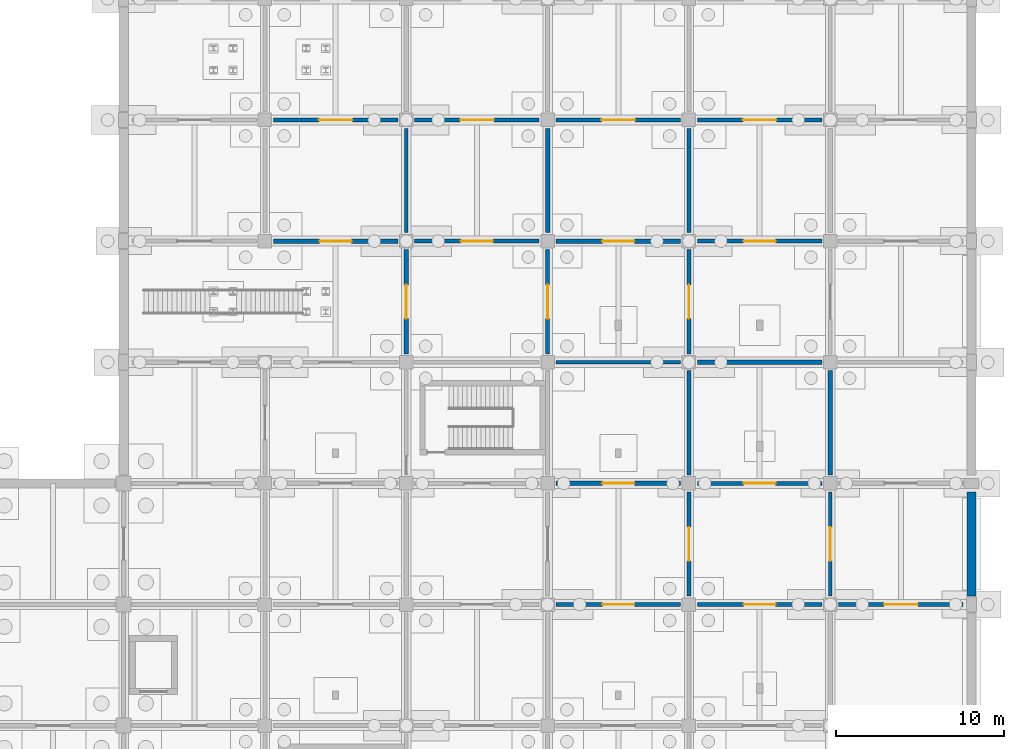
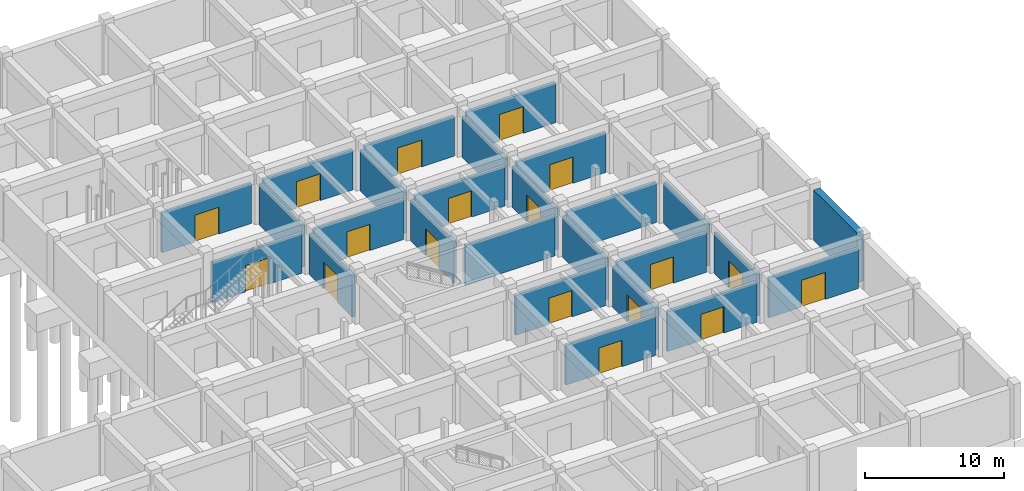
# One storey, part 34 of 38: 26 walls, 18 doors, 18 openings.
"""IFC4 building model written with IfcOpenShell, lengths in metres."""

import ifcopenshell
import ifcopenshell.guid

model = None  # the IFC model being written
_history = None  # IfcOwnerHistory: only IFC2X3 demands one
_inside = {}  # id of a spatial element -> (the spatial element, [elements in it])
_under = {}  # id of a project, library or spatial element -> (it, [spatial elements below it])
_declared = {}  # id of a project -> (the project, [libraries it declares])
_typed = {}  # id of a type object -> (the type object, [elements of that type])
_made_of = {}  # id of a material, layer set ... -> (it, [elements and type objects made of it])


def new_model(schema):
    """Start an empty IFC model of exactly this schema.

    Asked for "IFC4X3", IfcOpenShell would pick the latest addendum, in which some entities
    have other attributes; the version numbers below select the first issue.
    IFC2X3 requires an IfcOwnerHistory on every rooted entity: one is made here for all.
    """
    global model, _history
    if schema == "IFC4X3":
        model = ifcopenshell.file(schema_version=(4, 3, 0, 0))
    else:
        model = ifcopenshell.file(schema=schema)
    _inside.clear()
    _under.clear()
    _declared.clear()
    _typed.clear()
    _made_of.clear()
    _history = None
    if model.schema == "IFC2X3":
        org = make("IfcOrganization", Name="unknown")
        user = make(
            "IfcPersonAndOrganization",
            ThePerson=make("IfcPerson", FamilyName="unknown"),
            TheOrganization=org,
        )
        app = make(
            "IfcApplication",
            ApplicationDeveloper=org,
            Version="unknown",
            ApplicationFullName="unknown",
            ApplicationIdentifier="unknown",
        )
        _history = make(
            "IfcOwnerHistory",
            OwningUser=user,
            OwningApplication=app,
            ChangeAction="ADDED",
            CreationDate=0,
        )
    return model


def make(cls, **values):
    """One entity of the class cls with the attributes given. An attribute that is None is left unset."""
    return model.create_entity(
        cls, **{name: value for name, value in values.items() if value is not None}
    )


def rooted(cls, **values):
    """An entity with a GlobalId (a new one), such as an element, a storey or a relation."""
    return make(cls, GlobalId=ifcopenshell.guid.new(), OwnerHistory=_history, **values)


def si_unit(unit_type, name, prefix=None):
    """IfcSIUnit, for example si_unit("LENGTHUNIT", "METRE", prefix="MILLI")."""
    return make("IfcSIUnit", UnitType=unit_type, Prefix=prefix, Name=name)


def derived_unit(unit_type, elements):
    """IfcDerivedUnit: a product of units, each with its exponent."""
    return make(
        "IfcDerivedUnit",
        Elements=[
            make("IfcDerivedUnitElement", Unit=unit, Exponent=power)
            for unit, power in elements
        ],
        UnitType=unit_type,
    )


def assignment(units):
    """IfcUnitAssignment: the units of a project."""
    return None if units is None else make("IfcUnitAssignment", Units=units)


def point(xyz):
    """IfcCartesianPoint."""
    return None if xyz is None else make("IfcCartesianPoint", Coordinates=xyz)


def direction(xyz):
    """IfcDirection."""
    return None if xyz is None else make("IfcDirection", DirectionRatios=xyz)


def frame(location, z_axis=None, x_axis=None):
    """IfcAxis2Placement3D, a coordinate frame: its origin and axes. An axis left out is left unset."""
    return make(
        "IfcAxis2Placement3D",
        Location=point(location),
        Axis=direction(z_axis),
        RefDirection=direction(x_axis),
    )


def frame_2d(location, x_axis=None):
    """IfcAxis2Placement2D, a coordinate frame in the plane: its origin and x axis."""
    return make(
        "IfcAxis2Placement2D", Location=point(location), RefDirection=direction(x_axis)
    )


def origin():
    """The frame at (0, 0, 0) with its axes left unset."""
    return frame((0.0, 0.0, 0.0))


def place(relative_to, where):
    """IfcLocalPlacement: puts the frame where relative to a parent placement (None: the world)."""
    return make(
        "IfcLocalPlacement", PlacementRelTo=relative_to, RelativePlacement=where
    )


def context(
    kind, dimensions, precision=None, world=None, true_north=None, identifier=None
):
    """IfcGeometricRepresentationContext, for example the 3D "Model" context."""
    return make(
        "IfcGeometricRepresentationContext",
        ContextIdentifier=identifier,
        ContextType=kind,
        CoordinateSpaceDimension=dimensions,
        Precision=precision,
        WorldCoordinateSystem=world,
        TrueNorth=true_north,
    )


def subcontext(parent, identifier, kind, view, scale=None):
    """IfcGeometricRepresentationSubContext, for example "Body" below "Model"."""
    return make(
        "IfcGeometricRepresentationSubContext",
        ContextIdentifier=identifier,
        ContextType=kind,
        ParentContext=parent,
        TargetScale=scale,
        TargetView=view,
    )


def project(units=None, contexts=None):
    """IfcProject with its units and contexts."""
    return rooted(
        "IfcProject",
        Name="project",
        RepresentationContexts=contexts,
        UnitsInContext=assignment(units),
    )


def spatial(cls, under=None, at=None, **own):
    """A site, building, storey or space (cls), placed at a placement, below another one or the project."""
    s = rooted(cls, ObjectPlacement=at, **own)
    if under is not None:
        _under.setdefault(under.id(), (under, []))[1].append(s)
    return s


def profile(cls, at=None, kind="AREA", **sizes):
    """A parametric profile (cls). Its sizes go by their IFC names, for example OverallWidth=200.0."""
    return make(cls, ProfileType=kind, Position=at, **sizes)


def rectangle(**sizes):
    """IfcRectangleProfileDef."""
    return profile("IfcRectangleProfileDef", **sizes)


def extrude(swept, where, along, depth):
    """IfcExtrudedAreaSolid: the profile swept, set in the frame where, extruded along a direction by depth."""
    return make(
        "IfcExtrudedAreaSolid",
        SweptArea=swept,
        Position=where,
        ExtrudedDirection=direction(along),
        Depth=depth,
    )


def shape(context_of_items, identifier, shape_type, items):
    """IfcShapeRepresentation: the items that make up one representation, for example the "Body"."""
    return make(
        "IfcShapeRepresentation",
        ContextOfItems=context_of_items,
        RepresentationIdentifier=identifier,
        RepresentationType=shape_type,
        Items=items,
    )


def material(Name=None, Category=None):
    """IfcMaterial."""
    return make("IfcMaterial", Name=Name, Category=Category)


def layer(
    of_material, thickness, ventilated=None, Name=None, Category=None, Priority=None
):
    """IfcMaterialLayer: one layer of a wall or slab, of a material (None: an air gap)."""
    return make(
        "IfcMaterialLayer",
        Material=of_material,
        LayerThickness=thickness,
        IsVentilated=ventilated,
        Name=Name,
        Category=Category,
        Priority=Priority,
    )


def layer_set(layers, Name=None):
    """IfcMaterialLayerSet."""
    return make("IfcMaterialLayerSet", MaterialLayers=layers, LayerSetName=Name)


def made_of(thing, what):
    """Note that an element or type object is made of a material, layer set ...; save() writes the relation."""
    if what is not None:
        _made_of.setdefault(what.id(), (what, []))[1].append(thing)
    return thing


def type_object(cls, material=None, **own):
    """A type object (cls), such as IfcWallType, which elements share."""
    return made_of(rooted(cls, **own), material)


def element(
    cls,
    number,
    at=None,
    inside=None,
    cuts=None,
    type_object=None,
    material=None,
    context=None,
    identifier="Body",
    shape_type=None,
    held_by="IfcProductDefinitionShape",
    body=None,
    shapes=None,
    **own,
):
    """One element of the class cls, such as IfcWall. Its Tag is "e" and its number.

    at: its placement. inside: the storey or other place that contains it. cuts: it is an
    opening in that element (IfcRelVoidsElement). A single representation is given by context,
    identifier, shape_type and body (its items); several are given by shapes. held_by: the class
    of the entity that holds the representations. save() writes the other relations.
    """
    e = rooted(cls, Tag="e%d" % number, ObjectPlacement=at, **own)
    if body is not None:
        shapes = [shape(context, identifier, shape_type, body)]
    if shapes is not None:
        e.Representation = make(held_by, Representations=shapes)
    if inside is not None:
        _inside.setdefault(inside.id(), (inside, []))[1].append(e)
    if cuts is not None:
        rooted(
            "IfcRelVoidsElement", RelatingBuildingElement=cuts, RelatedOpeningElement=e
        )
    if type_object is not None:
        _typed.setdefault(type_object.id(), (type_object, []))[1].append(e)
    return made_of(e, material)


def fill(opening, filler):
    """IfcRelFillsElement: the door or window that sits in an opening."""
    return rooted(
        "IfcRelFillsElement",
        RelatingOpeningElement=opening,
        RelatedBuildingElement=filler,
    )


def aggregate(whole, parts):
    """IfcRelAggregates: a whole, such as a stair, and the parts it consists of."""
    return rooted("IfcRelAggregates", RelatingObject=whole, RelatedObjects=parts)


def save(model, path):
    """Write the relations noted so far, then the file.

    IfcRelAggregates (storeys below a building ...), IfcRelContainedInSpatialStructure (elements
    in a storey), IfcRelDefinesByType, IfcRelAssociatesMaterial and IfcRelDeclares: one each for
    every whole, place, type object, material and project.
    """
    for whole, parts in _under.values():
        aggregate(whole, parts)
    for where, things in _inside.values():
        rooted(
            "IfcRelContainedInSpatialStructure",
            RelatedElements=things,
            RelatingStructure=where,
        )
    for kind, things in _typed.values():
        rooted("IfcRelDefinesByType", RelatedObjects=things, RelatingType=kind)
    for what, things in _made_of.values():
        rooted("IfcRelAssociatesMaterial", RelatedObjects=things, RelatingMaterial=what)
    for by, libraries in _declared.values():
        rooted("IfcRelDeclares", RelatingContext=by, RelatedDefinitions=libraries)
    model.write(path)


model = new_model("IFC4")

# Units and contexts
model_context = context("Model", 3, precision=1e-05, world=origin(), true_north=direction((0.0, 1.0)))
body_context = subcontext(model_context, "Body", "Model", "MODEL_VIEW")
ifc_project = project(units=[si_unit("LENGTHUNIT", "METRE"), si_unit("AREAUNIT", "SQUARE_METRE"), si_unit("VOLUMEUNIT", "CUBIC_METRE"), si_unit("PLANEANGLEUNIT", "RADIAN"), si_unit("MASSUNIT", "GRAM", prefix="KILO"), derived_unit("THERMALTRANSMITTANCEUNIT", [(si_unit("MASSUNIT", "GRAM", prefix="KILO"), 1), (si_unit("TIMEUNIT", "SECOND"), -3), (si_unit("THERMODYNAMICTEMPERATUREUNIT", "KELVIN"), -1)])], contexts=[model_context])

# Site, building, storey
site_placement = place(None, origin())
site = spatial("IfcSite", under=ifc_project, at=site_placement, CompositionType="ELEMENT")
building_placement = place(site_placement, origin())
building = spatial("IfcBuilding", under=site, at=building_placement, Name="Veldstrom Oceanarium and Marine Research Institute", CompositionType="ELEMENT")
storey_placement = place(building_placement, frame((0.0, 0.0, -9.60009765625)))
storey = spatial("IfcBuildingStorey", under=building, at=storey_placement, Name="B02", CompositionType="ELEMENT", Elevation=-9.60009765625)

# Wall
ifc_material_1 = material(Name="Masonry Fire Compartment Wall", Category="masonry")
ifc_layer_1 = layer(ifc_material_1, 0.22998046875)
ifc_layer_set_1 = layer_set([ifc_layer_1], Name="ARC-WAL-PT1")
wall_type_1 = type_object("IfcWallType", Name="ARC-WAL-PT1", PredefinedType="PARTITIONING", material=ifc_layer_set_1)
wall_1_placement = place(storey_placement, frame((134.39990234375, 86.89990234375, 0.0), z_axis=(0.0, 0.0, 1.0), x_axis=(0.0, 1.0, 0.0)))
element("IfcWall", 1, at=wall_1_placement, inside=storey, type_object=wall_type_1, Name="Interior Partition PT1 B02-0219", PredefinedType="PARTITIONING", context=body_context, shape_type="SweptSolid", body=[
    extrude(rectangle(XDim=6.2001953125, YDim=0.22998046875, at=frame_2d((3.10009765625, 0.0))), origin(), (0.0, 0.0, 1.0), 3.59521484375),
])

# Wall, opening, door
wall_2_placement = place(storey_placement, frame((126.5, 93.60009765625, 0.0), z_axis=(0.0, 0.0, 1.0), x_axis=(1.0, 0.0, 0.0)))
wall_2 = element("IfcWall", 2, at=wall_2_placement, inside=storey, type_object=wall_type_1, Name="Interior Partition PT1 B02-0220", PredefinedType="PARTITIONING", context=body_context, shape_type="SweptSolid", body=[
    extrude(rectangle(XDim=7.39990234375, YDim=0.22998046875, at=frame_2d((3.699951171875, 0.0))), origin(), (0.0, 0.0, 1.0), 3.4951171875),
])
opening_1_placement = place(wall_2_placement, frame((2.699951171875, 0.0, 0.0)))
opening_1 = element("IfcOpeningElement", 3, at=opening_1_placement, cuts=wall_2, Name="Opening D-B02-129", PredefinedType="OPENING", context=body_context, shape_type="SweptSolid", body=[
    extrude(rectangle(XDim=2.0, YDim=2.35009765625, at=frame_2d((1.0, 1.175048828125))), frame((0.0, 0.125, 0.0), z_axis=(0.0, -1.0, 0.0), x_axis=(1.0, 0.0, 0.0)), (0.0, 0.0, 1.0), 0.25),
])
ifc_material_2 = material(Name="Filtration Hall Double Door", Category="steel")
door_type_1 = type_object("IfcDoorType", Name="ARC-DOR-ID18", OperationType="DOUBLE_DOOR_SINGLE_SWING", PredefinedType="DOOR", material=ifc_material_2)
door_1_placement = place(opening_1_placement, frame((2.0, 0.0, 0.0), z_axis=(0.0, 0.0, 1.0), x_axis=(-1.0, 0.0, 0.0)))
door_1 = element("IfcDoor", 4, at=door_1_placement, inside=storey, type_object=door_type_1, Name="Interior Door D-B02-129", OperationType="DOUBLE_DOOR_SINGLE_SWING", OverallHeight=2.35009765625, OverallWidth=2.0, PredefinedType="DOOR", context=body_context, shape_type="SweptSolid", body=[
    extrude(rectangle(XDim=2.0, YDim=2.35009765625, at=frame_2d((1.0, 1.175048828125))), frame((0.0, 0.02490234375, 0.0), z_axis=(0.0, -1.0, 0.0), x_axis=(1.0, 0.0, 0.0)), (0.0, 0.0, 1.0), 0.050048828125),
])
fill(opening_1, door_1)

wall_3_placement = place(storey_placement, frame((142.800048828125, 79.699951171875, 0.0), z_axis=(0.0, 0.0, 1.0), x_axis=(0.0, 1.0, 0.0)))
wall_3 = element("IfcWall", 5, at=wall_3_placement, inside=storey, type_object=wall_type_1, Name="Interior Partition PT1 B02-0236", PredefinedType="PARTITIONING", context=body_context, shape_type="SweptSolid", body=[
    extrude(rectangle(XDim=6.199951171875, YDim=0.22998046875, at=frame_2d((3.10009765625, 0.0))), origin(), (0.0, 0.0, 1.0), 3.59521484375),
])
opening_2_placement = place(wall_3_placement, frame((2.10009765625, 0.0, 0.0)))
opening_2 = element("IfcOpeningElement", 6, at=opening_2_placement, cuts=wall_3, Name="Opening D-B02-137", PredefinedType="OPENING", context=body_context, shape_type="SweptSolid", body=[
    extrude(rectangle(XDim=2.0, YDim=2.35009765625, at=frame_2d((1.0, 1.175048828125))), frame((0.0, 0.125, 0.0), z_axis=(0.0, -1.0, 0.0), x_axis=(1.0, 0.0, 0.0)), (0.0, 0.0, 1.0), 0.25),
])
door_2_placement = place(opening_2_placement, origin())
door_2 = element("IfcDoor", 7, at=door_2_placement, inside=storey, type_object=door_type_1, Name="Interior Door D-B02-137", OperationType="DOUBLE_DOOR_SINGLE_SWING", OverallHeight=2.35009765625, OverallWidth=2.0, PredefinedType="DOOR", context=body_context, shape_type="SweptSolid", body=[
    extrude(rectangle(XDim=2.0, YDim=2.35009765625, at=frame_2d((1.0, 1.175048828125))), frame((0.0, 0.02490234375, 0.0), z_axis=(0.0, -1.0, 0.0), x_axis=(1.0, 0.0, 0.0)), (0.0, 0.0, 1.0), 0.050048828125),
])
fill(opening_2, door_2)

wall_4_placement = place(storey_placement, frame((134.89990234375, 86.39990234375, 0.0), z_axis=(0.0, 0.0, 1.0), x_axis=(1.0, 0.0, 0.0)))
wall_4 = element("IfcWall", 8, at=wall_4_placement, inside=storey, type_object=wall_type_1, Name="Interior Partition PT1 B02-0237", PredefinedType="PARTITIONING", context=body_context, shape_type="SweptSolid", body=[
    extrude(rectangle(XDim=7.400146484375, YDim=0.22998046875, at=frame_2d((3.7001953125, 0.0))), origin(), (0.0, 0.0, 1.0), 3.4951171875),
])
opening_3_placement = place(wall_4_placement, frame((2.75, 0.0, 0.0)))
opening_3 = element("IfcOpeningElement", 9, at=opening_3_placement, cuts=wall_4, Name="Opening D-B02-138", PredefinedType="OPENING", context=body_context, shape_type="SweptSolid", body=[
    extrude(rectangle(XDim=1.89990234375, YDim=2.300048828125, at=frame_2d((0.949951171875, 1.14990234375))), frame((0.0, 0.125, 0.0), z_axis=(0.0, -1.0, 0.0), x_axis=(1.0, 0.0, 0.0)), (0.0, 0.0, 1.0), 0.25),
])
ifc_material_3 = material(Name="Plant Hall Equipment Door", Category="steel")
door_type_2 = type_object("IfcDoorType", Name="ARC-DOR-ID12", OperationType="DOUBLE_DOOR_SINGLE_SWING", PredefinedType="DOOR", material=ifc_material_3)
door_3_placement = place(opening_3_placement, frame((1.89990234375, 0.0, 0.0), z_axis=(0.0, 0.0, 1.0), x_axis=(-1.0, 0.0, 0.0)))
door_3 = element("IfcDoor", 10, at=door_3_placement, inside=storey, type_object=door_type_2, Name="Interior Door D-B02-138", OperationType="DOUBLE_DOOR_SINGLE_SWING", OverallHeight=2.300048828125, OverallWidth=1.89990234375, PredefinedType="DOOR", context=body_context, shape_type="SweptSolid", body=[
    extrude(rectangle(XDim=1.89990234375, YDim=2.300048828125, at=frame_2d((0.949951171875, 1.14990234375))), frame((0.0, 0.02490234375, 0.0), z_axis=(0.0, -1.0, 0.0), x_axis=(1.0, 0.0, 0.0)), (0.0, 0.0, 1.0), 0.050048828125),
])
fill(opening_3, door_3)

wall_5_placement = place(storey_placement, frame((143.300048828125, 64.800048828125, 0.0), z_axis=(0.0, 0.0, 1.0), x_axis=(1.0, 0.0, 0.0)))
wall_5 = element("IfcWall", 11, at=wall_5_placement, inside=storey, type_object=wall_type_1, Name="Interior Partition PT1 B02-0250", PredefinedType="PARTITIONING", context=body_context, shape_type="SweptSolid", body=[
    extrude(rectangle(XDim=7.39990234375, YDim=0.22998046875, at=frame_2d((3.699951171875, 0.0))), origin(), (0.0, 0.0, 1.0), 3.4951171875),
])
opening_4_placement = place(wall_5_placement, frame((2.75, 0.0, 0.0)))
opening_4 = element("IfcOpeningElement", 12, at=opening_4_placement, cuts=wall_5, Name="Opening D-B02-144", PredefinedType="OPENING", context=body_context, shape_type="SweptSolid", body=[
    extrude(rectangle(XDim=1.89990234375, YDim=2.300048828125, at=frame_2d((0.949951171875, 1.14990234375))), frame((0.0, 0.125, 0.0), z_axis=(0.0, -1.0, 0.0), x_axis=(1.0, 0.0, 0.0)), (0.0, 0.0, 1.0), 0.25),
])
door_4_placement = place(opening_4_placement, frame((1.89990234375, 0.0, 0.0), z_axis=(0.0, 0.0, 1.0), x_axis=(-1.0, 0.0, 0.0)))
door_4 = element("IfcDoor", 13, at=door_4_placement, inside=storey, type_object=door_type_2, Name="Interior Door D-B02-144", OperationType="DOUBLE_DOOR_SINGLE_SWING", OverallHeight=2.300048828125, OverallWidth=1.89990234375, PredefinedType="DOOR", context=body_context, shape_type="SweptSolid", body=[
    extrude(rectangle(XDim=1.89990234375, YDim=2.300048828125, at=frame_2d((0.949951171875, 1.14990234375))), frame((0.0, 0.02490234375, 0.0), z_axis=(0.0, -1.0, 0.0), x_axis=(1.0, 0.0, 0.0)), (0.0, 0.0, 1.0), 0.050048828125),
])
fill(opening_4, door_4)

# Walls
wall_6_placement = place(storey_placement, frame((151.199951171875, 72.5, 0.0), z_axis=(0.0, 0.0, 1.0), x_axis=(0.0, 1.0, 0.0)))
element("IfcWall", 14, at=wall_6_placement, inside=storey, type_object=wall_type_1, Name="Interior Partition PT1 B02-0253", PredefinedType="PARTITIONING", context=body_context, shape_type="SweptSolid", body=[
    extrude(rectangle(XDim=6.199951171875, YDim=0.22998046875, at=frame_2d((3.10009765625, 0.0))), origin(), (0.0, 0.0, 1.0), 3.59521484375),
])
wall_7_placement = place(storey_placement, frame((143.300048828125, 79.199951171875, 0.0), z_axis=(0.0, 0.0, 1.0), x_axis=(1.0, 0.0, 0.0)))
element("IfcWall", 15, at=wall_7_placement, inside=storey, type_object=wall_type_1, Name="Interior Partition PT1 B02-0254", PredefinedType="PARTITIONING", context=body_context, shape_type="SweptSolid", body=[
    extrude(rectangle(XDim=7.39990234375, YDim=0.22998046875, at=frame_2d((3.699951171875, 0.0))), origin(), (0.0, 0.0, 1.0), 3.4951171875),
])
wall_8_placement = place(storey_placement, frame((151.199951171875, 86.89990234375, 0.0), z_axis=(0.0, 0.0, 1.0), x_axis=(0.0, 1.0, 0.0)))
element("IfcWall", 16, at=wall_8_placement, inside=storey, type_object=wall_type_1, Name="Interior Partition PT1 B02-0257", PredefinedType="PARTITIONING", context=body_context, shape_type="SweptSolid", body=[
    extrude(rectangle(XDim=6.2001953125, YDim=0.22998046875, at=frame_2d((3.10009765625, 0.0))), origin(), (0.0, 0.0, 1.0), 3.59521484375),
])

# Wall, opening, door
wall_9_placement = place(storey_placement, frame((143.300048828125, 93.60009765625, 0.0), z_axis=(0.0, 0.0, 1.0), x_axis=(1.0, 0.0, 0.0)))
wall_9 = element("IfcWall", 17, at=wall_9_placement, inside=storey, type_object=wall_type_1, Name="Interior Partition PT1 B02-0258", PredefinedType="PARTITIONING", context=body_context, shape_type="SweptSolid", body=[
    extrude(rectangle(XDim=7.39990234375, YDim=0.22998046875, at=frame_2d((3.699951171875, 0.0))), origin(), (0.0, 0.0, 1.0), 3.4951171875),
])
opening_5_placement = place(wall_9_placement, frame((2.699951171875, 0.0, 0.0)))
opening_5 = element("IfcOpeningElement", 18, at=opening_5_placement, cuts=wall_9, Name="Opening D-B02-149", PredefinedType="OPENING", context=body_context, shape_type="SweptSolid", body=[
    extrude(rectangle(XDim=2.0, YDim=2.35009765625, at=frame_2d((1.0, 1.175048828125))), frame((0.0, 0.125, 0.0), z_axis=(0.0, -1.0, 0.0), x_axis=(1.0, 0.0, 0.0)), (0.0, 0.0, 1.0), 0.25),
])
door_5_placement = place(opening_5_placement, frame((2.0, 0.0, 0.0), z_axis=(0.0, 0.0, 1.0), x_axis=(-1.0, 0.0, 0.0)))
door_5 = element("IfcDoor", 19, at=door_5_placement, inside=storey, type_object=door_type_1, Name="Interior Door D-B02-149", OperationType="DOUBLE_DOOR_SINGLE_SWING", OverallHeight=2.35009765625, OverallWidth=2.0, PredefinedType="DOOR", context=body_context, shape_type="SweptSolid", body=[
    extrude(rectangle(XDim=2.0, YDim=2.35009765625, at=frame_2d((1.0, 1.175048828125))), frame((0.0, 0.02490234375, 0.0), z_axis=(0.0, -1.0, 0.0), x_axis=(1.0, 0.0, 0.0)), (0.0, 0.0, 1.0), 0.050048828125),
])
fill(opening_5, door_5)

wall_10_placement = place(storey_placement, frame((159.60009765625, 65.300048828125, 0.0), z_axis=(0.0, 0.0, 1.0), x_axis=(0.0, 1.0, 0.0)))
wall_10 = element("IfcWall", 20, at=wall_10_placement, inside=storey, type_object=wall_type_1, Name="Interior Partition PT1 B02-0270", PredefinedType="PARTITIONING", context=body_context, shape_type="SweptSolid", body=[
    extrude(rectangle(XDim=6.199951171875, YDim=0.22998046875, at=frame_2d((3.10009765625, 0.0))), origin(), (0.0, 0.0, 1.0), 3.59521484375),
])
opening_6_placement = place(wall_10_placement, frame((2.10009765625, 0.0, 0.0)))
opening_6 = element("IfcOpeningElement", 21, at=opening_6_placement, cuts=wall_10, Name="Opening D-B02-155", PredefinedType="OPENING", context=body_context, shape_type="SweptSolid", body=[
    extrude(rectangle(XDim=2.0, YDim=2.35009765625, at=frame_2d((1.0, 1.175048828125))), frame((0.0, 0.125, 0.0), z_axis=(0.0, -1.0, 0.0), x_axis=(1.0, 0.0, 0.0)), (0.0, 0.0, 1.0), 0.25),
])
door_6_placement = place(opening_6_placement, origin())
door_6 = element("IfcDoor", 22, at=door_6_placement, inside=storey, type_object=door_type_1, Name="Interior Door D-B02-155", OperationType="DOUBLE_DOOR_SINGLE_SWING", OverallHeight=2.35009765625, OverallWidth=2.0, PredefinedType="DOOR", context=body_context, shape_type="SweptSolid", body=[
    extrude(rectangle(XDim=2.0, YDim=2.35009765625, at=frame_2d((1.0, 1.175048828125))), frame((0.0, 0.02490234375, 0.0), z_axis=(0.0, -1.0, 0.0), x_axis=(1.0, 0.0, 0.0)), (0.0, 0.0, 1.0), 0.050048828125),
])
fill(opening_6, door_6)

wall_11_placement = place(storey_placement, frame((151.699951171875, 72.0, 0.0), z_axis=(0.0, 0.0, 1.0), x_axis=(1.0, 0.0, 0.0)))
wall_11 = element("IfcWall", 23, at=wall_11_placement, inside=storey, type_object=wall_type_1, Name="Interior Partition PT1 B02-0271", PredefinedType="PARTITIONING", context=body_context, shape_type="SweptSolid", body=[
    extrude(rectangle(XDim=7.400146484375, YDim=0.22998046875, at=frame_2d((3.7001953125, 0.0))), origin(), (0.0, 0.0, 1.0), 3.4951171875),
])
opening_7_placement = place(wall_11_placement, frame((2.75, 0.0, 0.0)))
opening_7 = element("IfcOpeningElement", 24, at=opening_7_placement, cuts=wall_11, Name="Opening D-B02-156", PredefinedType="OPENING", context=body_context, shape_type="SweptSolid", body=[
    extrude(rectangle(XDim=1.89990234375, YDim=2.300048828125, at=frame_2d((0.949951171875, 1.14990234375))), frame((0.0, 0.125, 0.0), z_axis=(0.0, -1.0, 0.0), x_axis=(1.0, 0.0, 0.0)), (0.0, 0.0, 1.0), 0.25),
])
door_7_placement = place(opening_7_placement, frame((1.89990234375, 0.0, 0.0), z_axis=(0.0, 0.0, 1.0), x_axis=(-1.0, 0.0, 0.0)))
door_7 = element("IfcDoor", 25, at=door_7_placement, inside=storey, type_object=door_type_2, Name="Interior Door D-B02-156", OperationType="DOUBLE_DOOR_SINGLE_SWING", OverallHeight=2.300048828125, OverallWidth=1.89990234375, PredefinedType="DOOR", context=body_context, shape_type="SweptSolid", body=[
    extrude(rectangle(XDim=1.89990234375, YDim=2.300048828125, at=frame_2d((0.949951171875, 1.14990234375))), frame((0.0, 0.02490234375, 0.0), z_axis=(0.0, -1.0, 0.0), x_axis=(1.0, 0.0, 0.0)), (0.0, 0.0, 1.0), 0.050048828125),
])
fill(opening_7, door_7)

wall_12_placement = place(storey_placement, frame((151.699951171875, 86.39990234375, 0.0), z_axis=(0.0, 0.0, 1.0), x_axis=(1.0, 0.0, 0.0)))
wall_12 = element("IfcWall", 26, at=wall_12_placement, inside=storey, type_object=wall_type_1, Name="Interior Partition PT1 B02-0275", PredefinedType="PARTITIONING", context=body_context, shape_type="SweptSolid", body=[
    extrude(rectangle(XDim=7.400146484375, YDim=0.22998046875, at=frame_2d((3.7001953125, 0.0))), origin(), (0.0, 0.0, 1.0), 3.4951171875),
])
opening_8_placement = place(wall_12_placement, frame((2.75, 0.0, 0.0)))
opening_8 = element("IfcOpeningElement", 27, at=opening_8_placement, cuts=wall_12, Name="Opening D-B02-158", PredefinedType="OPENING", context=body_context, shape_type="SweptSolid", body=[
    extrude(rectangle(XDim=1.89990234375, YDim=2.300048828125, at=frame_2d((0.949951171875, 1.14990234375))), frame((0.0, 0.125, 0.0), z_axis=(0.0, -1.0, 0.0), x_axis=(1.0, 0.0, 0.0)), (0.0, 0.0, 1.0), 0.25),
])
door_8_placement = place(opening_8_placement, frame((1.89990234375, 0.0, 0.0), z_axis=(0.0, 0.0, 1.0), x_axis=(-1.0, 0.0, 0.0)))
door_8 = element("IfcDoor", 28, at=door_8_placement, inside=storey, type_object=door_type_2, Name="Interior Door D-B02-158", OperationType="DOUBLE_DOOR_SINGLE_SWING", OverallHeight=2.300048828125, OverallWidth=1.89990234375, PredefinedType="DOOR", context=body_context, shape_type="SweptSolid", body=[
    extrude(rectangle(XDim=1.89990234375, YDim=2.300048828125, at=frame_2d((0.949951171875, 1.14990234375))), frame((0.0, 0.02490234375, 0.0), z_axis=(0.0, -1.0, 0.0), x_axis=(1.0, 0.0, 0.0)), (0.0, 0.0, 1.0), 0.050048828125),
])
fill(opening_8, door_8)

wall_13_placement = place(storey_placement, frame((160.10009765625, 64.800048828125, 0.0), z_axis=(0.0, 0.0, 1.0), x_axis=(1.0, 0.0, 0.0)))
wall_13 = element("IfcWall", 29, at=wall_13_placement, inside=storey, type_object=wall_type_1, Name="Interior Partition PT1 B02-0285", PredefinedType="PARTITIONING", context=body_context, shape_type="SweptSolid", body=[
    extrude(rectangle(XDim=7.39990234375, YDim=0.22998046875, at=frame_2d((3.699951171875, 0.0))), origin(), (0.0, 0.0, 1.0), 3.4951171875),
])
opening_9_placement = place(wall_13_placement, frame((2.699951171875, 0.0, 0.0)))
opening_9 = element("IfcOpeningElement", 30, at=opening_9_placement, cuts=wall_13, Name="Opening D-B02-163", PredefinedType="OPENING", context=body_context, shape_type="SweptSolid", body=[
    extrude(rectangle(XDim=2.0, YDim=2.35009765625, at=frame_2d((1.0, 1.175048828125))), frame((0.0, 0.125, 0.0), z_axis=(0.0, -1.0, 0.0), x_axis=(1.0, 0.0, 0.0)), (0.0, 0.0, 1.0), 0.25),
])
door_9_placement = place(opening_9_placement, frame((2.0, 0.0, 0.0), z_axis=(0.0, 0.0, 1.0), x_axis=(-1.0, 0.0, 0.0)))
door_9 = element("IfcDoor", 31, at=door_9_placement, inside=storey, type_object=door_type_1, Name="Interior Door D-B02-163", OperationType="DOUBLE_DOOR_SINGLE_SWING", OverallHeight=2.35009765625, OverallWidth=2.0, PredefinedType="DOOR", context=body_context, shape_type="SweptSolid", body=[
    extrude(rectangle(XDim=2.0, YDim=2.35009765625, at=frame_2d((1.0, 1.175048828125))), frame((0.0, 0.02490234375, 0.0), z_axis=(0.0, -1.0, 0.0), x_axis=(1.0, 0.0, 0.0)), (0.0, 0.0, 1.0), 0.050048828125),
])
fill(opening_9, door_9)

ifc_material_4 = material(Name="Plant Acoustic Masonry Wall", Category="masonry")
ifc_layer_2 = layer(ifc_material_4, 0.260009765625)
ifc_layer_set_2 = layer_set([ifc_layer_2], Name="ARC-WAL-PT8")
wall_type_2 = type_object("IfcWallType", Name="ARC-WAL-PT8", PredefinedType="PARTITIONING", material=ifc_layer_set_2)
wall_14_placement = place(storey_placement, frame((134.39990234375, 79.699951171875, 0.0), z_axis=(0.0, 0.0, 1.0), x_axis=(0.0, 1.0, 0.0)))
wall_14 = element("IfcWall", 32, at=wall_14_placement, inside=storey, type_object=wall_type_2, Name="Interior Partition PT8 B02-0217", PredefinedType="PARTITIONING", context=body_context, shape_type="SweptSolid", body=[
    extrude(rectangle(XDim=6.199951171875, YDim=0.260009765625, at=frame_2d((3.10009765625, 0.0))), origin(), (0.0, 0.0, 1.0), 3.59521484375),
])
opening_10_placement = place(wall_14_placement, frame((2.10009765625, 0.0, 0.0)))
opening_10 = element("IfcOpeningElement", 33, at=opening_10_placement, cuts=wall_14, Name="Opening D-B02-127", PredefinedType="OPENING", context=body_context, shape_type="SweptSolid", body=[
    extrude(rectangle(XDim=2.0, YDim=2.35009765625, at=frame_2d((1.0, 1.175048828125))), frame((0.0, 0.139892578125, 0.0), z_axis=(0.0, -1.0, 0.0), x_axis=(1.0, 0.0, 0.0)), (0.0, 0.0, 1.0), 0.280029296875),
])
door_10_placement = place(opening_10_placement, frame((2.0, 0.0, 0.0), z_axis=(0.0, 0.0, 1.0), x_axis=(-1.0, 0.0, 0.0)))
door_10 = element("IfcDoor", 34, at=door_10_placement, inside=storey, type_object=door_type_1, Name="Interior Door D-B02-127", OperationType="DOUBLE_DOOR_SINGLE_SWING", OverallHeight=2.35009765625, OverallWidth=2.0, PredefinedType="DOOR", context=body_context, shape_type="SweptSolid", body=[
    extrude(rectangle(XDim=2.0, YDim=2.35009765625, at=frame_2d((1.0, 1.175048828125))), frame((0.0, 0.02490234375, 0.0), z_axis=(0.0, -1.0, 0.0), x_axis=(1.0, 0.0, 0.0)), (0.0, 0.0, 1.0), 0.050048828125),
])
fill(opening_10, door_10)

wall_15_placement = place(storey_placement, frame((126.5, 86.39990234375, 0.0), z_axis=(0.0, 0.0, 1.0), x_axis=(1.0, 0.0, 0.0)))
wall_15 = element("IfcWall", 35, at=wall_15_placement, inside=storey, type_object=wall_type_2, Name="Interior Partition PT8 B02-0218", PredefinedType="PARTITIONING", context=body_context, shape_type="SweptSolid", body=[
    extrude(rectangle(XDim=7.39990234375, YDim=0.260009765625, at=frame_2d((3.699951171875, 0.0))), origin(), (0.0, 0.0, 1.0), 3.4951171875),
])
opening_11_placement = place(wall_15_placement, frame((2.75, 0.0, 0.0)))
opening_11 = element("IfcOpeningElement", 36, at=opening_11_placement, cuts=wall_15, Name="Opening D-B02-128", PredefinedType="OPENING", context=body_context, shape_type="SweptSolid", body=[
    extrude(rectangle(XDim=1.89990234375, YDim=2.300048828125, at=frame_2d((0.949951171875, 1.14990234375))), frame((0.0, 0.139892578125, 0.0), z_axis=(0.0, -1.0, 0.0), x_axis=(1.0, 0.0, 0.0)), (0.0, 0.0, 1.0), 0.280029296875),
])
door_11_placement = place(opening_11_placement, origin())
door_11 = element("IfcDoor", 37, at=door_11_placement, inside=storey, type_object=door_type_2, Name="Interior Door D-B02-128", OperationType="DOUBLE_DOOR_SINGLE_SWING", OverallHeight=2.300048828125, OverallWidth=1.89990234375, PredefinedType="DOOR", context=body_context, shape_type="SweptSolid", body=[
    extrude(rectangle(XDim=1.89990234375, YDim=2.300048828125, at=frame_2d((0.949951171875, 1.14990234375))), frame((0.0, 0.02490234375, 0.0), z_axis=(0.0, -1.0, 0.0), x_axis=(1.0, 0.0, 0.0)), (0.0, 0.0, 1.0), 0.050048828125),
])
fill(opening_11, door_11)

# Wall
wall_16_placement = place(storey_placement, frame((142.800048828125, 86.89990234375, 0.0), z_axis=(0.0, 0.0, 1.0), x_axis=(0.0, 1.0, 0.0)))
element("IfcWall", 38, at=wall_16_placement, inside=storey, type_object=wall_type_2, Name="Interior Partition PT8 B02-0238", PredefinedType="PARTITIONING", context=body_context, shape_type="SweptSolid", body=[
    extrude(rectangle(XDim=6.2001953125, YDim=0.260009765625, at=frame_2d((3.10009765625, 0.0))), origin(), (0.0, 0.0, 1.0), 3.59521484375),
])

# Wall, opening, door
wall_17_placement = place(storey_placement, frame((134.89990234375, 93.60009765625, 0.0), z_axis=(0.0, 0.0, 1.0), x_axis=(1.0, 0.0, 0.0)))
wall_17 = element("IfcWall", 39, at=wall_17_placement, inside=storey, type_object=wall_type_2, Name="Interior Partition PT8 B02-0239", PredefinedType="PARTITIONING", context=body_context, shape_type="SweptSolid", body=[
    extrude(rectangle(XDim=7.400146484375, YDim=0.260009765625, at=frame_2d((3.7001953125, 0.0))), origin(), (0.0, 0.0, 1.0), 3.4951171875),
])
opening_12_placement = place(wall_17_placement, frame((2.699951171875, 0.0, 0.0)))
opening_12 = element("IfcOpeningElement", 40, at=opening_12_placement, cuts=wall_17, Name="Opening D-B02-139", PredefinedType="OPENING", context=body_context, shape_type="SweptSolid", body=[
    extrude(rectangle(XDim=2.0, YDim=2.35009765625, at=frame_2d((1.0, 1.175048828125))), frame((0.0, 0.139892578125, 0.0), z_axis=(0.0, -1.0, 0.0), x_axis=(1.0, 0.0, 0.0)), (0.0, 0.0, 1.0), 0.280029296875),
])
door_12_placement = place(opening_12_placement, origin())
door_12 = element("IfcDoor", 41, at=door_12_placement, inside=storey, type_object=door_type_1, Name="Interior Door D-B02-139", OperationType="DOUBLE_DOOR_SINGLE_SWING", OverallHeight=2.35009765625, OverallWidth=2.0, PredefinedType="DOOR", context=body_context, shape_type="SweptSolid", body=[
    extrude(rectangle(XDim=2.0, YDim=2.35009765625, at=frame_2d((1.0, 1.175048828125))), frame((0.0, 0.02490234375, 0.0), z_axis=(0.0, -1.0, 0.0), x_axis=(1.0, 0.0, 0.0)), (0.0, 0.0, 1.0), 0.050048828125),
])
fill(opening_12, door_12)

wall_18_placement = place(storey_placement, frame((151.199951171875, 65.300048828125, 0.0), z_axis=(0.0, 0.0, 1.0), x_axis=(0.0, 1.0, 0.0)))
wall_18 = element("IfcWall", 42, at=wall_18_placement, inside=storey, type_object=wall_type_2, Name="Interior Partition PT8 B02-0251", PredefinedType="PARTITIONING", context=body_context, shape_type="SweptSolid", body=[
    extrude(rectangle(XDim=6.199951171875, YDim=0.260009765625, at=frame_2d((3.10009765625, 0.0))), origin(), (0.0, 0.0, 1.0), 3.59521484375),
])
opening_13_placement = place(wall_18_placement, frame((2.10009765625, 0.0, 0.0)))
opening_13 = element("IfcOpeningElement", 43, at=opening_13_placement, cuts=wall_18, Name="Opening D-B02-145", PredefinedType="OPENING", context=body_context, shape_type="SweptSolid", body=[
    extrude(rectangle(XDim=2.0, YDim=2.35009765625, at=frame_2d((1.0, 1.175048828125))), frame((0.0, 0.139892578125, 0.0), z_axis=(0.0, -1.0, 0.0), x_axis=(1.0, 0.0, 0.0)), (0.0, 0.0, 1.0), 0.280029296875),
])
door_13_placement = place(opening_13_placement, frame((2.0, 0.0, 0.0), z_axis=(0.0, 0.0, 1.0), x_axis=(-1.0, 0.0, 0.0)))
door_13 = element("IfcDoor", 44, at=door_13_placement, inside=storey, type_object=door_type_1, Name="Interior Door D-B02-145", OperationType="DOUBLE_DOOR_SINGLE_SWING", OverallHeight=2.35009765625, OverallWidth=2.0, PredefinedType="DOOR", context=body_context, shape_type="SweptSolid", body=[
    extrude(rectangle(XDim=2.0, YDim=2.35009765625, at=frame_2d((1.0, 1.175048828125))), frame((0.0, 0.02490234375, 0.0), z_axis=(0.0, -1.0, 0.0), x_axis=(1.0, 0.0, 0.0)), (0.0, 0.0, 1.0), 0.050048828125),
])
fill(opening_13, door_13)

wall_19_placement = place(storey_placement, frame((143.300048828125, 72.0, 0.0), z_axis=(0.0, 0.0, 1.0), x_axis=(1.0, 0.0, 0.0)))
wall_19 = element("IfcWall", 45, at=wall_19_placement, inside=storey, type_object=wall_type_2, Name="Interior Partition PT8 B02-0252", PredefinedType="PARTITIONING", context=body_context, shape_type="SweptSolid", body=[
    extrude(rectangle(XDim=7.39990234375, YDim=0.260009765625, at=frame_2d((3.699951171875, 0.0))), origin(), (0.0, 0.0, 1.0), 3.4951171875),
])
opening_14_placement = place(wall_19_placement, frame((2.75, 0.0, 0.0)))
opening_14 = element("IfcOpeningElement", 46, at=opening_14_placement, cuts=wall_19, Name="Opening D-B02-146", PredefinedType="OPENING", context=body_context, shape_type="SweptSolid", body=[
    extrude(rectangle(XDim=1.89990234375, YDim=2.300048828125, at=frame_2d((0.949951171875, 1.14990234375))), frame((0.0, 0.139892578125, 0.0), z_axis=(0.0, -1.0, 0.0), x_axis=(1.0, 0.0, 0.0)), (0.0, 0.0, 1.0), 0.280029296875),
])
door_14_placement = place(opening_14_placement, origin())
door_14 = element("IfcDoor", 47, at=door_14_placement, inside=storey, type_object=door_type_2, Name="Interior Door D-B02-146", OperationType="DOUBLE_DOOR_SINGLE_SWING", OverallHeight=2.300048828125, OverallWidth=1.89990234375, PredefinedType="DOOR", context=body_context, shape_type="SweptSolid", body=[
    extrude(rectangle(XDim=1.89990234375, YDim=2.300048828125, at=frame_2d((0.949951171875, 1.14990234375))), frame((0.0, 0.02490234375, 0.0), z_axis=(0.0, -1.0, 0.0), x_axis=(1.0, 0.0, 0.0)), (0.0, 0.0, 1.0), 0.050048828125),
])
fill(opening_14, door_14)

wall_20_placement = place(storey_placement, frame((151.199951171875, 79.699951171875, 0.0), z_axis=(0.0, 0.0, 1.0), x_axis=(0.0, 1.0, 0.0)))
wall_20 = element("IfcWall", 48, at=wall_20_placement, inside=storey, type_object=wall_type_2, Name="Interior Partition PT8 B02-0255", PredefinedType="PARTITIONING", context=body_context, shape_type="SweptSolid", body=[
    extrude(rectangle(XDim=6.199951171875, YDim=0.260009765625, at=frame_2d((3.10009765625, 0.0))), origin(), (0.0, 0.0, 1.0), 3.59521484375),
])
opening_15_placement = place(wall_20_placement, frame((2.10009765625, 0.0, 0.0)))
opening_15 = element("IfcOpeningElement", 49, at=opening_15_placement, cuts=wall_20, Name="Opening D-B02-147", PredefinedType="OPENING", context=body_context, shape_type="SweptSolid", body=[
    extrude(rectangle(XDim=2.0, YDim=2.35009765625, at=frame_2d((1.0, 1.175048828125))), frame((0.0, 0.139892578125, 0.0), z_axis=(0.0, -1.0, 0.0), x_axis=(1.0, 0.0, 0.0)), (0.0, 0.0, 1.0), 0.280029296875),
])
door_15_placement = place(opening_15_placement, frame((2.0, 0.0, 0.0), z_axis=(0.0, 0.0, 1.0), x_axis=(-1.0, 0.0, 0.0)))
door_15 = element("IfcDoor", 50, at=door_15_placement, inside=storey, type_object=door_type_1, Name="Interior Door D-B02-147", OperationType="DOUBLE_DOOR_SINGLE_SWING", OverallHeight=2.35009765625, OverallWidth=2.0, PredefinedType="DOOR", context=body_context, shape_type="SweptSolid", body=[
    extrude(rectangle(XDim=2.0, YDim=2.35009765625, at=frame_2d((1.0, 1.175048828125))), frame((0.0, 0.02490234375, 0.0), z_axis=(0.0, -1.0, 0.0), x_axis=(1.0, 0.0, 0.0)), (0.0, 0.0, 1.0), 0.050048828125),
])
fill(opening_15, door_15)

wall_21_placement = place(storey_placement, frame((143.300048828125, 86.39990234375, 0.0), z_axis=(0.0, 0.0, 1.0), x_axis=(1.0, 0.0, 0.0)))
wall_21 = element("IfcWall", 51, at=wall_21_placement, inside=storey, type_object=wall_type_2, Name="Interior Partition PT8 B02-0256", PredefinedType="PARTITIONING", context=body_context, shape_type="SweptSolid", body=[
    extrude(rectangle(XDim=7.39990234375, YDim=0.260009765625, at=frame_2d((3.699951171875, 0.0))), origin(), (0.0, 0.0, 1.0), 3.4951171875),
])
opening_16_placement = place(wall_21_placement, frame((2.75, 0.0, 0.0)))
opening_16 = element("IfcOpeningElement", 52, at=opening_16_placement, cuts=wall_21, Name="Opening D-B02-148", PredefinedType="OPENING", context=body_context, shape_type="SweptSolid", body=[
    extrude(rectangle(XDim=1.89990234375, YDim=2.300048828125, at=frame_2d((0.949951171875, 1.14990234375))), frame((0.0, 0.139892578125, 0.0), z_axis=(0.0, -1.0, 0.0), x_axis=(1.0, 0.0, 0.0)), (0.0, 0.0, 1.0), 0.280029296875),
])
door_16_placement = place(opening_16_placement, origin())
door_16 = element("IfcDoor", 53, at=door_16_placement, inside=storey, type_object=door_type_2, Name="Interior Door D-B02-148", OperationType="DOUBLE_DOOR_SINGLE_SWING", OverallHeight=2.300048828125, OverallWidth=1.89990234375, PredefinedType="DOOR", context=body_context, shape_type="SweptSolid", body=[
    extrude(rectangle(XDim=1.89990234375, YDim=2.300048828125, at=frame_2d((0.949951171875, 1.14990234375))), frame((0.0, 0.02490234375, 0.0), z_axis=(0.0, -1.0, 0.0), x_axis=(1.0, 0.0, 0.0)), (0.0, 0.0, 1.0), 0.050048828125),
])
fill(opening_16, door_16)

wall_22_placement = place(storey_placement, frame((151.699951171875, 64.800048828125, 0.0), z_axis=(0.0, 0.0, 1.0), x_axis=(1.0, 0.0, 0.0)))
wall_22 = element("IfcWall", 54, at=wall_22_placement, inside=storey, type_object=wall_type_2, Name="Interior Partition PT8 B02-0269", PredefinedType="PARTITIONING", context=body_context, shape_type="SweptSolid", body=[
    extrude(rectangle(XDim=7.400146484375, YDim=0.260009765625, at=frame_2d((3.7001953125, 0.0))), origin(), (0.0, 0.0, 1.0), 3.4951171875),
])
opening_17_placement = place(wall_22_placement, frame((2.75, 0.0, 0.0)))
opening_17 = element("IfcOpeningElement", 55, at=opening_17_placement, cuts=wall_22, Name="Opening D-B02-154", PredefinedType="OPENING", context=body_context, shape_type="SweptSolid", body=[
    extrude(rectangle(XDim=1.89990234375, YDim=2.300048828125, at=frame_2d((0.949951171875, 1.14990234375))), frame((0.0, 0.139892578125, 0.0), z_axis=(0.0, -1.0, 0.0), x_axis=(1.0, 0.0, 0.0)), (0.0, 0.0, 1.0), 0.280029296875),
])
door_17_placement = place(opening_17_placement, origin())
door_17 = element("IfcDoor", 56, at=door_17_placement, inside=storey, type_object=door_type_2, Name="Interior Door D-B02-154", OperationType="DOUBLE_DOOR_SINGLE_SWING", OverallHeight=2.300048828125, OverallWidth=1.89990234375, PredefinedType="DOOR", context=body_context, shape_type="SweptSolid", body=[
    extrude(rectangle(XDim=1.89990234375, YDim=2.300048828125, at=frame_2d((0.949951171875, 1.14990234375))), frame((0.0, 0.02490234375, 0.0), z_axis=(0.0, -1.0, 0.0), x_axis=(1.0, 0.0, 0.0)), (0.0, 0.0, 1.0), 0.050048828125),
])
fill(opening_17, door_17)

# Walls
wall_23_placement = place(storey_placement, frame((159.60009765625, 72.5, 0.0), z_axis=(0.0, 0.0, 1.0), x_axis=(0.0, 1.0, 0.0)))
element("IfcWall", 57, at=wall_23_placement, inside=storey, type_object=wall_type_2, Name="Interior Partition PT8 B02-0272", PredefinedType="PARTITIONING", context=body_context, shape_type="SweptSolid", body=[
    extrude(rectangle(XDim=6.199951171875, YDim=0.260009765625, at=frame_2d((3.10009765625, 0.0))), origin(), (0.0, 0.0, 1.0), 3.59521484375),
])
wall_24_placement = place(storey_placement, frame((151.699951171875, 79.199951171875, 0.0), z_axis=(0.0, 0.0, 1.0), x_axis=(1.0, 0.0, 0.0)))
element("IfcWall", 58, at=wall_24_placement, inside=storey, type_object=wall_type_2, Name="Interior Partition PT8 B02-0273", PredefinedType="PARTITIONING", context=body_context, shape_type="SweptSolid", body=[
    extrude(rectangle(XDim=7.400146484375, YDim=0.260009765625, at=frame_2d((3.7001953125, 0.0))), origin(), (0.0, 0.0, 1.0), 3.4951171875),
])

# Wall, opening, door
wall_25_placement = place(storey_placement, frame((151.699951171875, 93.60009765625, 0.0), z_axis=(0.0, 0.0, 1.0), x_axis=(1.0, 0.0, 0.0)))
wall_25 = element("IfcWall", 59, at=wall_25_placement, inside=storey, type_object=wall_type_2, Name="Interior Partition PT8 B02-0277", PredefinedType="PARTITIONING", context=body_context, shape_type="SweptSolid", body=[
    extrude(rectangle(XDim=7.400146484375, YDim=0.260009765625, at=frame_2d((3.7001953125, 0.0))), origin(), (0.0, 0.0, 1.0), 3.4951171875),
])
opening_18_placement = place(wall_25_placement, frame((2.699951171875, 0.0, 0.0)))
opening_18 = element("IfcOpeningElement", 60, at=opening_18_placement, cuts=wall_25, Name="Opening D-B02-159", PredefinedType="OPENING", context=body_context, shape_type="SweptSolid", body=[
    extrude(rectangle(XDim=2.0, YDim=2.35009765625, at=frame_2d((1.0, 1.175048828125))), frame((0.0, 0.139892578125, 0.0), z_axis=(0.0, -1.0, 0.0), x_axis=(1.0, 0.0, 0.0)), (0.0, 0.0, 1.0), 0.280029296875),
])
door_18_placement = place(opening_18_placement, origin())
door_18 = element("IfcDoor", 61, at=door_18_placement, inside=storey, type_object=door_type_1, Name="Interior Door D-B02-159", OperationType="DOUBLE_DOOR_SINGLE_SWING", OverallHeight=2.35009765625, OverallWidth=2.0, PredefinedType="DOOR", context=body_context, shape_type="SweptSolid", body=[
    extrude(rectangle(XDim=2.0, YDim=2.35009765625, at=frame_2d((1.0, 1.175048828125))), frame((0.0, 0.02490234375, 0.0), z_axis=(0.0, -1.0, 0.0), x_axis=(1.0, 0.0, 0.0)), (0.0, 0.0, 1.0), 0.050048828125),
])
fill(opening_18, door_18)

# Wall
ifc_material_5 = material(Name="Concrete C40/50", Category="concrete")
ifc_layer_3 = layer(ifc_material_5, 0.550048828125)
ifc_layer_set_3 = layer_set([ifc_layer_3], Name="STR-WAL-WR1")
wall_type_3 = type_object("IfcWallType", Name="STR-WAL-WR1", PredefinedType="USERDEFINED", material=ifc_layer_set_3)
wall_26_placement = place(storey_placement, frame((168.0, 65.300048828125, 0.0), z_axis=(0.0, 0.0, 1.0), x_axis=(0.0, 1.0, 0.0)))
element("IfcWall", 62, at=wall_26_placement, inside=storey, type_object=wall_type_3, Name="Basement Retaining Wall WR1-B02-065", ObjectType="Retaining wall", PredefinedType="USERDEFINED", context=body_context, shape_type="SweptSolid", body=[
    extrude(rectangle(XDim=6.199951171875, YDim=0.550048828125, at=frame_2d((3.10009765625, 0.0))), origin(), (0.0, 0.0, 1.0), 4.400146484375),
])

save(model, "model.ifc")
